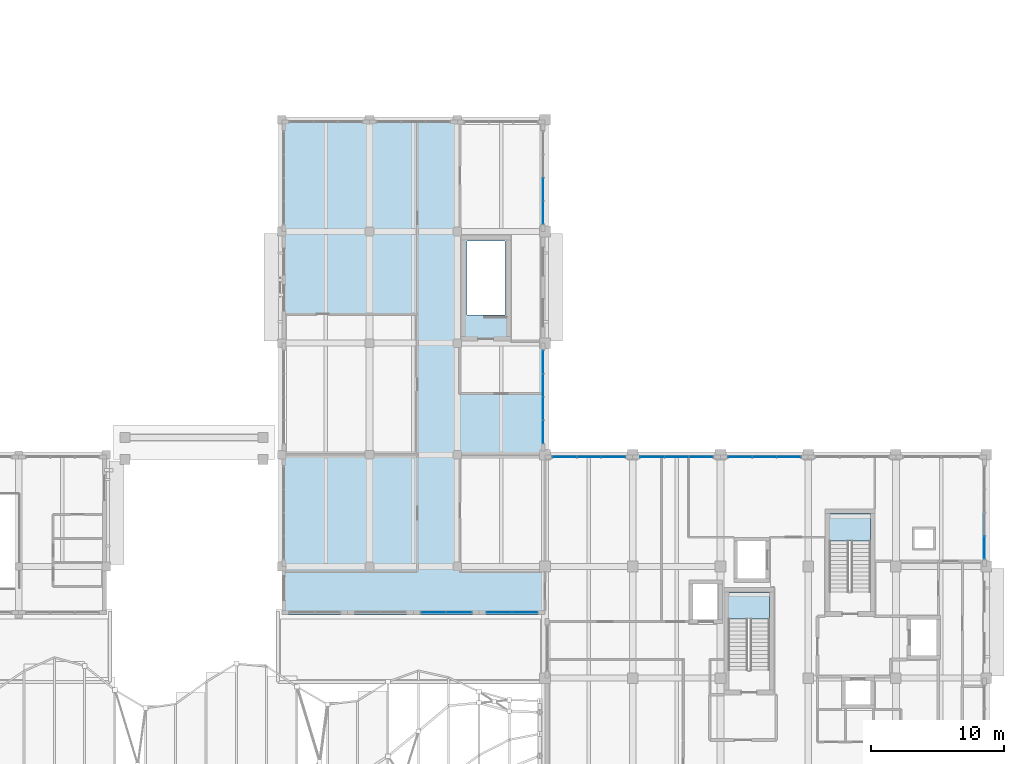
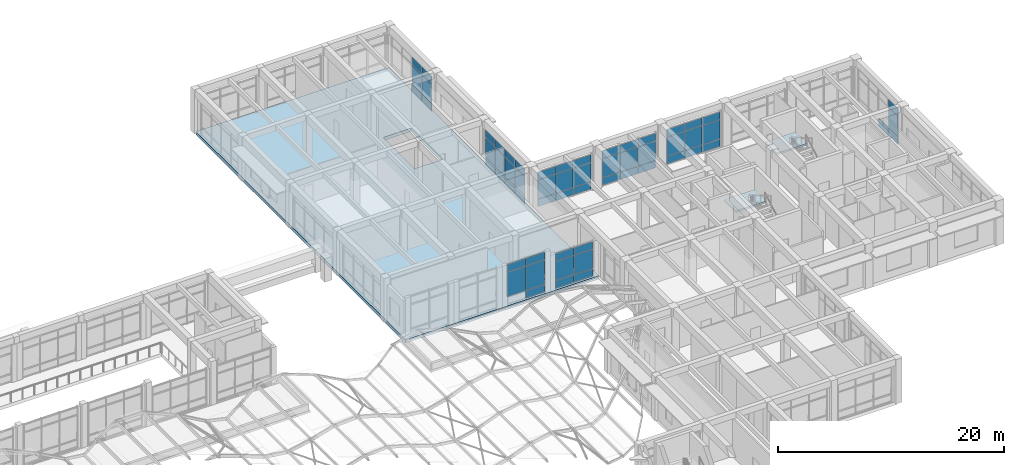
# One storey, part 43 of 79: 60 plates, 3 slabs, 10 elements without a shape of their own.
"""IFC4 building model written with IfcOpenShell, lengths in metres."""

from ifc_helpers import new_model, si_unit, direction, frame, origin, origin_2d, place, context, subcontext, project, spatial, polyline, rectangle, outline, extrude, material, layer, layer_set, type_object, element, aggregate, save


model = new_model("IFC4")

# Units and contexts
model_context = context("Model", 3, precision=1e-05, world=origin(), true_north=direction((0.0, 1.0)))
body_context = subcontext(model_context, "Body", "Model", "MODEL_VIEW")
ifc_project = project(units=[si_unit("LENGTHUNIT", "METRE"), si_unit("AREAUNIT", "SQUARE_METRE"), si_unit("VOLUMEUNIT", "CUBIC_METRE"), si_unit("PLANEANGLEUNIT", "RADIAN"), si_unit("MASSUNIT", "GRAM", prefix="KILO")], contexts=[model_context])

# Site, building, storey
site_placement = place(None, origin())
site = spatial("IfcSite", under=ifc_project, at=site_placement, CompositionType="ELEMENT")
building_placement = place(site_placement, origin())
building = spatial("IfcBuilding", under=site, at=building_placement, Name="Kolvaren Faculty of Natural Sciences", CompositionType="ELEMENT")
storey_placement = place(building_placement, frame((0.0, 0.0, 10.199951171875)))
storey = spatial("IfcBuildingStorey", under=building, at=storey_placement, Name="L02", CompositionType="ELEMENT", Elevation=10.199951171875)

# Curtain wall, plates
ifc_material_1 = material(Name="Thermally broken anodised aluminium framing", Category="aluminium")
ifc_layer_1 = layer(ifc_material_1, 0.179931640625)
ifc_layer_set_1 = layer_set([ifc_layer_1], Name="Thermally broken anodised aluminium framing")
curtain_wall_type_1 = type_object("IfcCurtainWallType", Name="CommonsCurtainWall_CW02", PredefinedType="NOTDEFINED", material=ifc_layer_set_1)
curtain_wall_1_placement = place(storey_placement, origin())
curtain_wall_1 = element("IfcCurtainWall", 1, at=curtain_wall_1_placement, inside=storey, type_object=curtain_wall_type_1, Name="L02 unitised curtain wall CW-02 (CW-L02-085)", PredefinedType="NOTDEFINED")
ifc_material_2 = material(Name="Double low-E solar control insulated glazing", Category="glass")
ifc_layer_2 = layer(ifc_material_2, 0.035888671875)
ifc_layer_set_2 = layer_set([ifc_layer_2], Name="Double low-E solar control insulated glazing")
plate_type_1 = type_object("IfcPlateType", Name="EnvelopePlate_CWPGL1", PredefinedType="CURTAIN_PANEL", material=ifc_layer_set_2)
plate_1_placement = place(storey_placement, frame((137.28759765625, 72.35009765625, 0.920166015625), z_axis=(0.0, 0.0, 1.0), x_axis=(-1.0, 0.0, 0.0)))
plate_1 = element("IfcPlate", 2, at=plate_1_placement, type_object=plate_type_1, Name="CW-L02-085 panel 1 V1", PredefinedType="CURTAIN_PANEL", context=body_context, shape_type="SweptSolid", body=[
    extrude(rectangle(XDim=1.875, YDim=0.035888671875, at=origin_2d()), origin(), (0.0, 0.0, 1.0), 2.044921875),
])
plate_2_placement = place(storey_placement, frame((135.362548828125, 72.35009765625, 0.920166015625), z_axis=(0.0, 0.0, 1.0), x_axis=(-1.0, 0.0, 0.0)))
plate_2 = element("IfcPlate", 3, at=plate_2_placement, type_object=plate_type_1, Name="CW-L02-085 panel 2 V1", PredefinedType="CURTAIN_PANEL", context=body_context, shape_type="SweptSolid", body=[
    extrude(rectangle(XDim=1.875, YDim=0.035888671875, at=origin_2d()), origin(), (0.0, 0.0, 1.0), 2.044921875),
])

curtain_wall_2_placement = place(storey_placement, origin())
curtain_wall_2 = element("IfcCurtainWall", 4, at=curtain_wall_2_placement, inside=storey, type_object=curtain_wall_type_1, Name="L02 unitised curtain wall CW-02 (CW-L02-086)", PredefinedType="NOTDEFINED")
plate_3_placement = place(storey_placement, frame((132.33740234375, 72.35009765625, 0.919921875), z_axis=(0.0, 0.0, 1.0), x_axis=(-1.0, 0.0, 0.0)))
plate_3 = element("IfcPlate", 5, at=plate_3_placement, type_object=plate_type_1, Name="CW-L02-086 panel 1 V1", PredefinedType="CURTAIN_PANEL", context=body_context, shape_type="SweptSolid", body=[
    extrude(rectangle(XDim=1.875, YDim=0.035888671875, at=origin_2d()), origin(), (0.0, 0.0, 1.0), 2.610107421875),
])
plate_4_placement = place(storey_placement, frame((130.41259765625, 72.35009765625, 0.919921875), z_axis=(0.0, 0.0, 1.0), x_axis=(-1.0, 0.0, 0.0)))
plate_4 = element("IfcPlate", 6, at=plate_4_placement, type_object=plate_type_1, Name="CW-L02-086 panel 2 V1", PredefinedType="CURTAIN_PANEL", context=body_context, shape_type="SweptSolid", body=[
    extrude(rectangle(XDim=1.875, YDim=0.035888671875, at=origin_2d()), origin(), (0.0, 0.0, 1.0), 2.610107421875),
])

ifc_layer_3 = layer(ifc_material_1, 0.179931640625)
ifc_layer_set_3 = layer_set([ifc_layer_3], Name="Thermally broken anodised aluminium framing")
curtain_wall_type_2 = type_object("IfcCurtainWallType", Name="TowerNorthCurtainWall_CW03", PredefinedType="NOTDEFINED", material=ifc_layer_set_3)
curtain_wall_3_placement = place(storey_placement, origin())
curtain_wall_3 = element("IfcCurtainWall", 7, at=curtain_wall_3_placement, inside=storey, type_object=curtain_wall_type_2, Name="L02 unitised curtain wall CW-03 (CW-L02-095)", PredefinedType="NOTDEFINED")
plate_5_placement = place(storey_placement, frame((138.64990234375, 104.175048828125, 0.920166015625), z_axis=(0.0, 0.0, 1.0), x_axis=(0.0, -1.0, 0.0)))
plate_5 = element("IfcPlate", 8, at=plate_5_placement, type_object=plate_type_1, Name="CW-L02-095 panel 3 V1", PredefinedType="CURTAIN_PANEL", context=body_context, shape_type="SweptSolid", body=[
    extrude(rectangle(XDim=1.699951171875, YDim=0.035888671875, at=origin_2d()), origin(), (0.0, 0.0, 1.0), 2.044921875),
])
plate_6_placement = place(storey_placement, frame((138.64990234375, 102.425048828125, 0.920166015625), z_axis=(0.0, 0.0, 1.0), x_axis=(0.0, -1.0, 0.0)))
plate_6 = element("IfcPlate", 9, at=plate_6_placement, type_object=plate_type_1, Name="CW-L02-095 panel 4 V1", PredefinedType="CURTAIN_PANEL", context=body_context, shape_type="SweptSolid", body=[
    extrude(rectangle(XDim=1.699951171875, YDim=0.035888671875, at=origin_2d()), origin(), (0.0, 0.0, 1.0), 2.044921875),
])

curtain_wall_4_placement = place(storey_placement, origin())
curtain_wall_4 = element("IfcCurtainWall", 10, at=curtain_wall_4_placement, inside=storey, type_object=curtain_wall_type_2, Name="L02 unitised curtain wall CW-03 (CW-L02-096)", PredefinedType="NOTDEFINED")
plate_7_placement = place(storey_placement, frame((138.64990234375, 91.175048828125, 0.920166015625), z_axis=(0.0, 0.0, 1.0), x_axis=(0.0, -1.0, 0.0)))
plate_7 = element("IfcPlate", 11, at=plate_7_placement, type_object=plate_type_1, Name="CW-L02-096 panel 1 V1", PredefinedType="CURTAIN_PANEL", context=body_context, shape_type="SweptSolid", body=[
    extrude(rectangle(XDim=1.699951171875, YDim=0.035888671875, at=origin_2d()), origin(), (0.0, 0.0, 1.0), 2.044921875),
])
plate_8_placement = place(storey_placement, frame((138.64990234375, 89.425048828125, 0.920166015625), z_axis=(0.0, 0.0, 1.0), x_axis=(0.0, -1.0, 0.0)))
plate_8 = element("IfcPlate", 12, at=plate_8_placement, type_object=plate_type_1, Name="CW-L02-096 panel 2 V1", PredefinedType="CURTAIN_PANEL", context=body_context, shape_type="SweptSolid", body=[
    extrude(rectangle(XDim=1.699951171875, YDim=0.035888671875, at=origin_2d()), origin(), (0.0, 0.0, 1.0), 2.044921875),
])
plate_9_placement = place(storey_placement, frame((138.64990234375, 87.675048828125, 0.920166015625), z_axis=(0.0, 0.0, 1.0), x_axis=(0.0, -1.0, 0.0)))
plate_9 = element("IfcPlate", 13, at=plate_9_placement, type_object=plate_type_1, Name="CW-L02-096 panel 3 V1", PredefinedType="CURTAIN_PANEL", context=body_context, shape_type="SweptSolid", body=[
    extrude(rectangle(XDim=1.699951171875, YDim=0.035888671875, at=origin_2d()), origin(), (0.0, 0.0, 1.0), 2.044921875),
])
plate_10_placement = place(storey_placement, frame((138.64990234375, 85.925048828125, 0.920166015625), z_axis=(0.0, 0.0, 1.0), x_axis=(0.0, -1.0, 0.0)))
plate_10 = element("IfcPlate", 14, at=plate_10_placement, type_object=plate_type_1, Name="CW-L02-096 panel 4 V1", PredefinedType="CURTAIN_PANEL", context=body_context, shape_type="SweptSolid", body=[
    extrude(rectangle(XDim=1.699951171875, YDim=0.035888671875, at=origin_2d()), origin(), (0.0, 0.0, 1.0), 2.044921875),
])

curtain_wall_5_placement = place(storey_placement, origin())
curtain_wall_5 = element("IfcCurtainWall", 15, at=curtain_wall_5_placement, inside=storey, type_object=curtain_wall_type_2, Name="L02 unitised curtain wall CW-03 (CW-L02-097)", PredefinedType="NOTDEFINED")
plate_11_placement = place(storey_placement, frame((140.2666015625, 84.050048828125, 0.920166015625), z_axis=(0.0, 0.0, 1.0), x_axis=(1.0, 0.0, 0.0)))
plate_11 = element("IfcPlate", 16, at=plate_11_placement, type_object=plate_type_1, Name="CW-L02-097 panel 1 V1", PredefinedType="CURTAIN_PANEL", context=body_context, shape_type="SweptSolid", body=[
    extrude(rectangle(XDim=1.783203125, YDim=0.035888671875, at=origin_2d()), origin(), (0.0, 0.0, 1.0), 2.044921875),
])
plate_12_placement = place(storey_placement, frame((142.10009765625, 84.050048828125, 0.920166015625), z_axis=(0.0, 0.0, 1.0), x_axis=(1.0, 0.0, 0.0)))
plate_12 = element("IfcPlate", 17, at=plate_12_placement, type_object=plate_type_1, Name="CW-L02-097 panel 2 V1", PredefinedType="CURTAIN_PANEL", context=body_context, shape_type="SweptSolid", body=[
    extrude(rectangle(XDim=1.783203125, YDim=0.035888671875, at=origin_2d()), origin(), (0.0, 0.0, 1.0), 2.044921875),
])
plate_13_placement = place(storey_placement, frame((143.933349609375, 84.050048828125, 0.920166015625), z_axis=(0.0, 0.0, 1.0), x_axis=(1.0, 0.0, 0.0)))
plate_13 = element("IfcPlate", 18, at=plate_13_placement, type_object=plate_type_1, Name="CW-L02-097 panel 3 V1", PredefinedType="CURTAIN_PANEL", context=body_context, shape_type="SweptSolid", body=[
    extrude(rectangle(XDim=1.783203125, YDim=0.035888671875, at=origin_2d()), origin(), (0.0, 0.0, 1.0), 2.044921875),
])

curtain_wall_6_placement = place(storey_placement, origin())
curtain_wall_6 = element("IfcCurtainWall", 19, at=curtain_wall_6_placement, inside=storey, type_object=curtain_wall_type_2, Name="L02 unitised curtain wall CW-03 (CW-L02-098)", PredefinedType="NOTDEFINED")
plate_14_placement = place(storey_placement, frame((146.86669921875, 84.050048828125, 0.920166015625), z_axis=(0.0, 0.0, 1.0), x_axis=(1.0, 0.0, 0.0)))
plate_14 = element("IfcPlate", 20, at=plate_14_placement, type_object=plate_type_1, Name="CW-L02-098 panel 1 V1", PredefinedType="CURTAIN_PANEL", context=body_context, shape_type="SweptSolid", body=[
    extrude(rectangle(XDim=1.783203125, YDim=0.035888671875, at=origin_2d()), origin(), (0.0, 0.0, 1.0), 2.044921875),
])
plate_15_placement = place(storey_placement, frame((148.699951171875, 84.050048828125, 0.920166015625), z_axis=(0.0, 0.0, 1.0), x_axis=(1.0, 0.0, 0.0)))
plate_15 = element("IfcPlate", 21, at=plate_15_placement, type_object=plate_type_1, Name="CW-L02-098 panel 2 V1", PredefinedType="CURTAIN_PANEL", context=body_context, shape_type="SweptSolid", body=[
    extrude(rectangle(XDim=1.783203125, YDim=0.035888671875, at=origin_2d()), origin(), (0.0, 0.0, 1.0), 2.044921875),
])
plate_16_placement = place(storey_placement, frame((150.533203125, 84.050048828125, 0.920166015625), z_axis=(0.0, 0.0, 1.0), x_axis=(1.0, 0.0, 0.0)))
plate_16 = element("IfcPlate", 22, at=plate_16_placement, type_object=plate_type_1, Name="CW-L02-098 panel 3 V1", PredefinedType="CURTAIN_PANEL", context=body_context, shape_type="SweptSolid", body=[
    extrude(rectangle(XDim=1.783203125, YDim=0.035888671875, at=origin_2d()), origin(), (0.0, 0.0, 1.0), 2.044921875),
])

curtain_wall_7_placement = place(storey_placement, origin())
curtain_wall_7 = element("IfcCurtainWall", 23, at=curtain_wall_7_placement, inside=storey, type_object=curtain_wall_type_2, Name="L02 unitised curtain wall CW-03 (CW-L02-099)", PredefinedType="NOTDEFINED")
plate_17_placement = place(storey_placement, frame((153.466796875, 84.050048828125, 0.920166015625), z_axis=(0.0, 0.0, 1.0), x_axis=(1.0, 0.0, 0.0)))
plate_17 = element("IfcPlate", 24, at=plate_17_placement, type_object=plate_type_1, Name="CW-L02-099 panel 1 V1", PredefinedType="CURTAIN_PANEL", context=body_context, shape_type="SweptSolid", body=[
    extrude(rectangle(XDim=1.783203125, YDim=0.035888671875, at=origin_2d()), origin(), (0.0, 0.0, 1.0), 2.044921875),
])
plate_18_placement = place(storey_placement, frame((155.300048828125, 84.050048828125, 0.920166015625), z_axis=(0.0, 0.0, 1.0), x_axis=(1.0, 0.0, 0.0)))
plate_18 = element("IfcPlate", 25, at=plate_18_placement, type_object=plate_type_1, Name="CW-L02-099 panel 2 V1", PredefinedType="CURTAIN_PANEL", context=body_context, shape_type="SweptSolid", body=[
    extrude(rectangle(XDim=1.783203125, YDim=0.035888671875, at=origin_2d()), origin(), (0.0, 0.0, 1.0), 2.044921875),
])
plate_19_placement = place(storey_placement, frame((157.13330078125, 84.050048828125, 0.920166015625), z_axis=(0.0, 0.0, 1.0), x_axis=(1.0, 0.0, 0.0)))
plate_19 = element("IfcPlate", 26, at=plate_19_placement, type_object=plate_type_1, Name="CW-L02-099 panel 3 V1", PredefinedType="CURTAIN_PANEL", context=body_context, shape_type="SweptSolid", body=[
    extrude(rectangle(XDim=1.783203125, YDim=0.035888671875, at=origin_2d()), origin(), (0.0, 0.0, 1.0), 2.044921875),
])

# Curtain wall, plate
curtain_wall_8_placement = place(storey_placement, origin())
curtain_wall_8 = element("IfcCurtainWall", 27, at=curtain_wall_8_placement, inside=storey, type_object=curtain_wall_type_2, Name="L02 unitised curtain wall CW-03 (CW-L02-102)", PredefinedType="NOTDEFINED")
plate_20_placement = place(storey_placement, frame((171.85009765625, 77.22509765625, 0.919921875), z_axis=(0.0, 0.0, 1.0), x_axis=(0.0, -1.0, 0.0)))
plate_20 = element("IfcPlate", 28, at=plate_20_placement, type_object=plate_type_1, Name="CW-L02-102 panel 4 V1", PredefinedType="CURTAIN_PANEL", context=body_context, shape_type="SweptSolid", body=[
    extrude(rectangle(XDim=1.699951171875, YDim=0.035888671875, at=origin_2d()), origin(), (0.0, 0.0, 1.0), 2.195068359375),
])

# Plate
ifc_layer_4 = layer(ifc_material_2, 0.035888671875)
ifc_layer_set_4 = layer_set([ifc_layer_4], Name="Double low-E solar control insulated glazing")
plate_type_2 = type_object("IfcPlateType", Name="EnvelopePlate_CWPGL2", PredefinedType="CURTAIN_PANEL", material=ifc_layer_set_4)
plate_21_placement = place(storey_placement, frame((137.28759765625, 72.35009765625, 3.005126953125), z_axis=(0.0, 0.0, 1.0), x_axis=(-1.0, 0.0, 0.0)))
plate_21 = element("IfcPlate", 29, at=plate_21_placement, type_object=plate_type_2, Name="CW-L02-085 panel 1 V2", PredefinedType="CURTAIN_PANEL", context=body_context, shape_type="SweptSolid", body=[
    extrude(rectangle(XDim=1.875, YDim=0.035888671875, at=origin_2d()), origin(), (0.0, 0.0, 1.0), 0.830078125),
])

plate_22_placement = place(storey_placement, frame((135.362548828125, 72.35009765625, 3.005126953125), z_axis=(0.0, 0.0, 1.0), x_axis=(-1.0, 0.0, 0.0)))
plate_22 = element("IfcPlate", 30, at=plate_22_placement, type_object=plate_type_2, Name="CW-L02-085 panel 2 V2", PredefinedType="CURTAIN_PANEL", context=body_context, shape_type="SweptSolid", body=[
    extrude(rectangle(XDim=1.875, YDim=0.035888671875, at=origin_2d()), origin(), (0.0, 0.0, 1.0), 0.830078125),
])

plate_23_placement = place(storey_placement, frame((132.33740234375, 72.35009765625, 3.570068359375), z_axis=(0.0, 0.0, 1.0), x_axis=(-1.0, 0.0, 0.0)))
plate_23 = element("IfcPlate", 31, at=plate_23_placement, type_object=plate_type_2, Name="CW-L02-086 panel 1 V2", PredefinedType="CURTAIN_PANEL", context=body_context, shape_type="SweptSolid", body=[
    extrude(rectangle(XDim=1.875, YDim=0.035888671875, at=origin_2d()), origin(), (0.0, 0.0, 1.0), 0.830078125),
])

plate_24_placement = place(storey_placement, frame((130.41259765625, 72.35009765625, 3.570068359375), z_axis=(0.0, 0.0, 1.0), x_axis=(-1.0, 0.0, 0.0)))
plate_24 = element("IfcPlate", 32, at=plate_24_placement, type_object=plate_type_2, Name="CW-L02-086 panel 2 V2", PredefinedType="CURTAIN_PANEL", context=body_context, shape_type="SweptSolid", body=[
    extrude(rectangle(XDim=1.875, YDim=0.035888671875, at=origin_2d()), origin(), (0.0, 0.0, 1.0), 0.830078125),
])

plate_25_placement = place(storey_placement, frame((138.64990234375, 104.175048828125, 3.005126953125), z_axis=(0.0, 0.0, 1.0), x_axis=(0.0, -1.0, 0.0)))
plate_25 = element("IfcPlate", 33, at=plate_25_placement, type_object=plate_type_2, Name="CW-L02-095 panel 3 V2", PredefinedType="CURTAIN_PANEL", context=body_context, shape_type="SweptSolid", body=[
    extrude(rectangle(XDim=1.699951171875, YDim=0.035888671875, at=origin_2d()), origin(), (0.0, 0.0, 1.0), 0.830078125),
])

plate_26_placement = place(storey_placement, frame((138.64990234375, 102.425048828125, 3.005126953125), z_axis=(0.0, 0.0, 1.0), x_axis=(0.0, -1.0, 0.0)))
plate_26 = element("IfcPlate", 34, at=plate_26_placement, type_object=plate_type_2, Name="CW-L02-095 panel 4 V2", PredefinedType="CURTAIN_PANEL", context=body_context, shape_type="SweptSolid", body=[
    extrude(rectangle(XDim=1.699951171875, YDim=0.035888671875, at=origin_2d()), origin(), (0.0, 0.0, 1.0), 0.830078125),
])

plate_27_placement = place(storey_placement, frame((138.64990234375, 91.175048828125, 3.005126953125), z_axis=(0.0, 0.0, 1.0), x_axis=(0.0, -1.0, 0.0)))
plate_27 = element("IfcPlate", 35, at=plate_27_placement, type_object=plate_type_2, Name="CW-L02-096 panel 1 V2", PredefinedType="CURTAIN_PANEL", context=body_context, shape_type="SweptSolid", body=[
    extrude(rectangle(XDim=1.699951171875, YDim=0.035888671875, at=origin_2d()), origin(), (0.0, 0.0, 1.0), 0.830078125),
])

plate_28_placement = place(storey_placement, frame((138.64990234375, 89.425048828125, 3.005126953125), z_axis=(0.0, 0.0, 1.0), x_axis=(0.0, -1.0, 0.0)))
plate_28 = element("IfcPlate", 36, at=plate_28_placement, type_object=plate_type_2, Name="CW-L02-096 panel 2 V2", PredefinedType="CURTAIN_PANEL", context=body_context, shape_type="SweptSolid", body=[
    extrude(rectangle(XDim=1.699951171875, YDim=0.035888671875, at=origin_2d()), origin(), (0.0, 0.0, 1.0), 0.830078125),
])

plate_29_placement = place(storey_placement, frame((138.64990234375, 87.675048828125, 3.005126953125), z_axis=(0.0, 0.0, 1.0), x_axis=(0.0, -1.0, 0.0)))
plate_29 = element("IfcPlate", 37, at=plate_29_placement, type_object=plate_type_2, Name="CW-L02-096 panel 3 V2", PredefinedType="CURTAIN_PANEL", context=body_context, shape_type="SweptSolid", body=[
    extrude(rectangle(XDim=1.699951171875, YDim=0.035888671875, at=origin_2d()), origin(), (0.0, 0.0, 1.0), 0.830078125),
])

plate_30_placement = place(storey_placement, frame((138.64990234375, 85.925048828125, 3.005126953125), z_axis=(0.0, 0.0, 1.0), x_axis=(0.0, -1.0, 0.0)))
plate_30 = element("IfcPlate", 38, at=plate_30_placement, type_object=plate_type_2, Name="CW-L02-096 panel 4 V2", PredefinedType="CURTAIN_PANEL", context=body_context, shape_type="SweptSolid", body=[
    extrude(rectangle(XDim=1.699951171875, YDim=0.035888671875, at=origin_2d()), origin(), (0.0, 0.0, 1.0), 0.830078125),
])

plate_31_placement = place(storey_placement, frame((140.2666015625, 84.050048828125, 3.005126953125), z_axis=(0.0, 0.0, 1.0), x_axis=(1.0, 0.0, 0.0)))
plate_31 = element("IfcPlate", 39, at=plate_31_placement, type_object=plate_type_2, Name="CW-L02-097 panel 1 V2", PredefinedType="CURTAIN_PANEL", context=body_context, shape_type="SweptSolid", body=[
    extrude(rectangle(XDim=1.783203125, YDim=0.035888671875, at=origin_2d()), origin(), (0.0, 0.0, 1.0), 0.830078125),
])

plate_32_placement = place(storey_placement, frame((142.10009765625, 84.050048828125, 3.005126953125), z_axis=(0.0, 0.0, 1.0), x_axis=(1.0, 0.0, 0.0)))
plate_32 = element("IfcPlate", 40, at=plate_32_placement, type_object=plate_type_2, Name="CW-L02-097 panel 2 V2", PredefinedType="CURTAIN_PANEL", context=body_context, shape_type="SweptSolid", body=[
    extrude(rectangle(XDim=1.783203125, YDim=0.035888671875, at=origin_2d()), origin(), (0.0, 0.0, 1.0), 0.830078125),
])

plate_33_placement = place(storey_placement, frame((143.933349609375, 84.050048828125, 3.005126953125), z_axis=(0.0, 0.0, 1.0), x_axis=(1.0, 0.0, 0.0)))
plate_33 = element("IfcPlate", 41, at=plate_33_placement, type_object=plate_type_2, Name="CW-L02-097 panel 3 V2", PredefinedType="CURTAIN_PANEL", context=body_context, shape_type="SweptSolid", body=[
    extrude(rectangle(XDim=1.783203125, YDim=0.035888671875, at=origin_2d()), origin(), (0.0, 0.0, 1.0), 0.830078125),
])

plate_34_placement = place(storey_placement, frame((146.86669921875, 84.050048828125, 3.005126953125), z_axis=(0.0, 0.0, 1.0), x_axis=(1.0, 0.0, 0.0)))
plate_34 = element("IfcPlate", 42, at=plate_34_placement, type_object=plate_type_2, Name="CW-L02-098 panel 1 V2", PredefinedType="CURTAIN_PANEL", context=body_context, shape_type="SweptSolid", body=[
    extrude(rectangle(XDim=1.783203125, YDim=0.035888671875, at=origin_2d()), origin(), (0.0, 0.0, 1.0), 0.830078125),
])

plate_35_placement = place(storey_placement, frame((148.699951171875, 84.050048828125, 3.005126953125), z_axis=(0.0, 0.0, 1.0), x_axis=(1.0, 0.0, 0.0)))
plate_35 = element("IfcPlate", 43, at=plate_35_placement, type_object=plate_type_2, Name="CW-L02-098 panel 2 V2", PredefinedType="CURTAIN_PANEL", context=body_context, shape_type="SweptSolid", body=[
    extrude(rectangle(XDim=1.783203125, YDim=0.035888671875, at=origin_2d()), origin(), (0.0, 0.0, 1.0), 0.830078125),
])

plate_36_placement = place(storey_placement, frame((150.533203125, 84.050048828125, 3.005126953125), z_axis=(0.0, 0.0, 1.0), x_axis=(1.0, 0.0, 0.0)))
plate_36 = element("IfcPlate", 44, at=plate_36_placement, type_object=plate_type_2, Name="CW-L02-098 panel 3 V2", PredefinedType="CURTAIN_PANEL", context=body_context, shape_type="SweptSolid", body=[
    extrude(rectangle(XDim=1.783203125, YDim=0.035888671875, at=origin_2d()), origin(), (0.0, 0.0, 1.0), 0.830078125),
])

plate_37_placement = place(storey_placement, frame((153.466796875, 84.050048828125, 3.005126953125), z_axis=(0.0, 0.0, 1.0), x_axis=(1.0, 0.0, 0.0)))
plate_37 = element("IfcPlate", 45, at=plate_37_placement, type_object=plate_type_2, Name="CW-L02-099 panel 1 V2", PredefinedType="CURTAIN_PANEL", context=body_context, shape_type="SweptSolid", body=[
    extrude(rectangle(XDim=1.783203125, YDim=0.035888671875, at=origin_2d()), origin(), (0.0, 0.0, 1.0), 0.830078125),
])

plate_38_placement = place(storey_placement, frame((155.300048828125, 84.050048828125, 3.005126953125), z_axis=(0.0, 0.0, 1.0), x_axis=(1.0, 0.0, 0.0)))
plate_38 = element("IfcPlate", 46, at=plate_38_placement, type_object=plate_type_2, Name="CW-L02-099 panel 2 V2", PredefinedType="CURTAIN_PANEL", context=body_context, shape_type="SweptSolid", body=[
    extrude(rectangle(XDim=1.783203125, YDim=0.035888671875, at=origin_2d()), origin(), (0.0, 0.0, 1.0), 0.830078125),
])

plate_39_placement = place(storey_placement, frame((157.13330078125, 84.050048828125, 3.005126953125), z_axis=(0.0, 0.0, 1.0), x_axis=(1.0, 0.0, 0.0)))
plate_39 = element("IfcPlate", 47, at=plate_39_placement, type_object=plate_type_2, Name="CW-L02-099 panel 3 V2", PredefinedType="CURTAIN_PANEL", context=body_context, shape_type="SweptSolid", body=[
    extrude(rectangle(XDim=1.783203125, YDim=0.035888671875, at=origin_2d()), origin(), (0.0, 0.0, 1.0), 0.830078125),
])

plate_40_placement = place(storey_placement, frame((171.85009765625, 77.22509765625, 3.155029296875), z_axis=(0.0, 0.0, 1.0), x_axis=(0.0, -1.0, 0.0)))
plate_40 = element("IfcPlate", 48, at=plate_40_placement, type_object=plate_type_2, Name="CW-L02-102 panel 4 V2", PredefinedType="CURTAIN_PANEL", context=body_context, shape_type="SweptSolid", body=[
    extrude(rectangle(XDim=1.699951171875, YDim=0.035888671875, at=origin_2d()), origin(), (0.0, 0.0, 1.0), 0.830078125),
])

ifc_material_3 = material(Name="Insulated anodised aluminium spandrel panel", Category="aluminium")
ifc_layer_5 = layer(ifc_material_3, 0.050048828125)
ifc_layer_set_5 = layer_set([ifc_layer_5], Name="Insulated anodised aluminium spandrel panel")
plate_type_3 = type_object("IfcPlateType", Name="EnvelopePlate_CWPSP1", PredefinedType="SHEET", material=ifc_layer_set_5)
plate_41_placement = place(storey_placement, frame((137.28759765625, 72.35009765625, 0.10009765625), z_axis=(0.0, 0.0, 1.0), x_axis=(-1.0, 0.0, 0.0)))
plate_41 = element("IfcPlate", 49, at=plate_41_placement, type_object=plate_type_3, Name="CW-L02-085 panel 1 SP", PredefinedType="SHEET", context=body_context, shape_type="SweptSolid", body=[
    extrude(rectangle(XDim=1.875, YDim=0.050048828125, at=origin_2d()), origin(), (0.0, 0.0, 1.0), 0.780029296875),
])

plate_42_placement = place(storey_placement, frame((135.362548828125, 72.35009765625, 0.10009765625), z_axis=(0.0, 0.0, 1.0), x_axis=(-1.0, 0.0, 0.0)))
plate_42 = element("IfcPlate", 50, at=plate_42_placement, type_object=plate_type_3, Name="CW-L02-085 panel 2 SP", PredefinedType="SHEET", context=body_context, shape_type="SweptSolid", body=[
    extrude(rectangle(XDim=1.875, YDim=0.050048828125, at=origin_2d()), origin(), (0.0, 0.0, 1.0), 0.780029296875),
])

aggregate(curtain_wall_1, [plate_41, plate_1, plate_21, plate_42, plate_2, plate_22])

plate_43_placement = place(storey_placement, frame((132.33740234375, 72.35009765625, 0.10009765625), z_axis=(0.0, 0.0, 1.0), x_axis=(-1.0, 0.0, 0.0)))
plate_43 = element("IfcPlate", 51, at=plate_43_placement, type_object=plate_type_3, Name="CW-L02-086 panel 1 SP", PredefinedType="SHEET", context=body_context, shape_type="SweptSolid", body=[
    extrude(rectangle(XDim=1.875, YDim=0.050048828125, at=origin_2d()), origin(), (0.0, 0.0, 1.0), 0.780029296875),
])

aggregate(curtain_wall_2, [plate_43, plate_3, plate_23, plate_4, plate_24])

plate_44_placement = place(storey_placement, frame((138.64990234375, 104.175048828125, 0.10009765625), z_axis=(0.0, 0.0, 1.0), x_axis=(0.0, -1.0, 0.0)))
plate_44 = element("IfcPlate", 52, at=plate_44_placement, type_object=plate_type_3, Name="CW-L02-095 panel 3 SP", PredefinedType="SHEET", context=body_context, shape_type="SweptSolid", body=[
    extrude(rectangle(XDim=1.699951171875, YDim=0.050048828125, at=origin_2d()), origin(), (0.0, 0.0, 1.0), 0.780029296875),
])

plate_45_placement = place(storey_placement, frame((138.64990234375, 102.425048828125, 0.10009765625), z_axis=(0.0, 0.0, 1.0), x_axis=(0.0, -1.0, 0.0)))
plate_45 = element("IfcPlate", 53, at=plate_45_placement, type_object=plate_type_3, Name="CW-L02-095 panel 4 SP", PredefinedType="SHEET", context=body_context, shape_type="SweptSolid", body=[
    extrude(rectangle(XDim=1.699951171875, YDim=0.050048828125, at=origin_2d()), origin(), (0.0, 0.0, 1.0), 0.780029296875),
])

aggregate(curtain_wall_3, [plate_44, plate_5, plate_25, plate_45, plate_6, plate_26])

plate_46_placement = place(storey_placement, frame((138.64990234375, 91.175048828125, 0.10009765625), z_axis=(0.0, 0.0, 1.0), x_axis=(0.0, -1.0, 0.0)))
plate_46 = element("IfcPlate", 54, at=plate_46_placement, type_object=plate_type_3, Name="CW-L02-096 panel 1 SP", PredefinedType="SHEET", context=body_context, shape_type="SweptSolid", body=[
    extrude(rectangle(XDim=1.699951171875, YDim=0.050048828125, at=origin_2d()), origin(), (0.0, 0.0, 1.0), 0.780029296875),
])

plate_47_placement = place(storey_placement, frame((138.64990234375, 89.425048828125, 0.10009765625), z_axis=(0.0, 0.0, 1.0), x_axis=(0.0, -1.0, 0.0)))
plate_47 = element("IfcPlate", 55, at=plate_47_placement, type_object=plate_type_3, Name="CW-L02-096 panel 2 SP", PredefinedType="SHEET", context=body_context, shape_type="SweptSolid", body=[
    extrude(rectangle(XDim=1.699951171875, YDim=0.050048828125, at=origin_2d()), origin(), (0.0, 0.0, 1.0), 0.780029296875),
])

plate_48_placement = place(storey_placement, frame((138.64990234375, 87.675048828125, 0.10009765625), z_axis=(0.0, 0.0, 1.0), x_axis=(0.0, -1.0, 0.0)))
plate_48 = element("IfcPlate", 56, at=plate_48_placement, type_object=plate_type_3, Name="CW-L02-096 panel 3 SP", PredefinedType="SHEET", context=body_context, shape_type="SweptSolid", body=[
    extrude(rectangle(XDim=1.699951171875, YDim=0.050048828125, at=origin_2d()), origin(), (0.0, 0.0, 1.0), 0.780029296875),
])

plate_49_placement = place(storey_placement, frame((138.64990234375, 85.925048828125, 0.10009765625), z_axis=(0.0, 0.0, 1.0), x_axis=(0.0, -1.0, 0.0)))
plate_49 = element("IfcPlate", 57, at=plate_49_placement, type_object=plate_type_3, Name="CW-L02-096 panel 4 SP", PredefinedType="SHEET", context=body_context, shape_type="SweptSolid", body=[
    extrude(rectangle(XDim=1.699951171875, YDim=0.050048828125, at=origin_2d()), origin(), (0.0, 0.0, 1.0), 0.780029296875),
])

aggregate(curtain_wall_4, [plate_46, plate_7, plate_27, plate_47, plate_8, plate_28, plate_48, plate_9, plate_29, plate_49, plate_10, plate_30])

plate_50_placement = place(storey_placement, frame((140.2666015625, 84.050048828125, 0.10009765625), z_axis=(0.0, 0.0, 1.0), x_axis=(1.0, 0.0, 0.0)))
plate_50 = element("IfcPlate", 58, at=plate_50_placement, type_object=plate_type_3, Name="CW-L02-097 panel 1 SP", PredefinedType="SHEET", context=body_context, shape_type="SweptSolid", body=[
    extrude(rectangle(XDim=1.783203125, YDim=0.050048828125, at=origin_2d()), origin(), (0.0, 0.0, 1.0), 0.780029296875),
])

plate_51_placement = place(storey_placement, frame((142.10009765625, 84.050048828125, 0.10009765625), z_axis=(0.0, 0.0, 1.0), x_axis=(1.0, 0.0, 0.0)))
plate_51 = element("IfcPlate", 59, at=plate_51_placement, type_object=plate_type_3, Name="CW-L02-097 panel 2 SP", PredefinedType="SHEET", context=body_context, shape_type="SweptSolid", body=[
    extrude(rectangle(XDim=1.783203125, YDim=0.050048828125, at=origin_2d()), origin(), (0.0, 0.0, 1.0), 0.780029296875),
])

plate_52_placement = place(storey_placement, frame((143.933349609375, 84.050048828125, 0.10009765625), z_axis=(0.0, 0.0, 1.0), x_axis=(1.0, 0.0, 0.0)))
plate_52 = element("IfcPlate", 60, at=plate_52_placement, type_object=plate_type_3, Name="CW-L02-097 panel 3 SP", PredefinedType="SHEET", context=body_context, shape_type="SweptSolid", body=[
    extrude(rectangle(XDim=1.783203125, YDim=0.050048828125, at=origin_2d()), origin(), (0.0, 0.0, 1.0), 0.780029296875),
])

aggregate(curtain_wall_5, [plate_50, plate_11, plate_31, plate_51, plate_12, plate_32, plate_52, plate_13, plate_33])

plate_53_placement = place(storey_placement, frame((146.86669921875, 84.050048828125, 0.10009765625), z_axis=(0.0, 0.0, 1.0), x_axis=(1.0, 0.0, 0.0)))
plate_53 = element("IfcPlate", 61, at=plate_53_placement, type_object=plate_type_3, Name="CW-L02-098 panel 1 SP", PredefinedType="SHEET", context=body_context, shape_type="SweptSolid", body=[
    extrude(rectangle(XDim=1.783203125, YDim=0.050048828125, at=origin_2d()), origin(), (0.0, 0.0, 1.0), 0.780029296875),
])

plate_54_placement = place(storey_placement, frame((148.699951171875, 84.050048828125, 0.10009765625), z_axis=(0.0, 0.0, 1.0), x_axis=(1.0, 0.0, 0.0)))
plate_54 = element("IfcPlate", 62, at=plate_54_placement, type_object=plate_type_3, Name="CW-L02-098 panel 2 SP", PredefinedType="SHEET", context=body_context, shape_type="SweptSolid", body=[
    extrude(rectangle(XDim=1.783203125, YDim=0.050048828125, at=origin_2d()), origin(), (0.0, 0.0, 1.0), 0.780029296875),
])

plate_55_placement = place(storey_placement, frame((150.533203125, 84.050048828125, 0.10009765625), z_axis=(0.0, 0.0, 1.0), x_axis=(1.0, 0.0, 0.0)))
plate_55 = element("IfcPlate", 63, at=plate_55_placement, type_object=plate_type_3, Name="CW-L02-098 panel 3 SP", PredefinedType="SHEET", context=body_context, shape_type="SweptSolid", body=[
    extrude(rectangle(XDim=1.783203125, YDim=0.050048828125, at=origin_2d()), origin(), (0.0, 0.0, 1.0), 0.780029296875),
])

aggregate(curtain_wall_6, [plate_53, plate_14, plate_34, plate_54, plate_15, plate_35, plate_55, plate_16, plate_36])

plate_56_placement = place(storey_placement, frame((153.466796875, 84.050048828125, 0.10009765625), z_axis=(0.0, 0.0, 1.0), x_axis=(1.0, 0.0, 0.0)))
plate_56 = element("IfcPlate", 64, at=plate_56_placement, type_object=plate_type_3, Name="CW-L02-099 panel 1 SP", PredefinedType="SHEET", context=body_context, shape_type="SweptSolid", body=[
    extrude(rectangle(XDim=1.783203125, YDim=0.050048828125, at=origin_2d()), origin(), (0.0, 0.0, 1.0), 0.780029296875),
])

plate_57_placement = place(storey_placement, frame((155.300048828125, 84.050048828125, 0.10009765625), z_axis=(0.0, 0.0, 1.0), x_axis=(1.0, 0.0, 0.0)))
plate_57 = element("IfcPlate", 65, at=plate_57_placement, type_object=plate_type_3, Name="CW-L02-099 panel 2 SP", PredefinedType="SHEET", context=body_context, shape_type="SweptSolid", body=[
    extrude(rectangle(XDim=1.783203125, YDim=0.050048828125, at=origin_2d()), origin(), (0.0, 0.0, 1.0), 0.780029296875),
])

plate_58_placement = place(storey_placement, frame((157.13330078125, 84.050048828125, 0.10009765625), z_axis=(0.0, 0.0, 1.0), x_axis=(1.0, 0.0, 0.0)))
plate_58 = element("IfcPlate", 66, at=plate_58_placement, type_object=plate_type_3, Name="CW-L02-099 panel 3 SP", PredefinedType="SHEET", context=body_context, shape_type="SweptSolid", body=[
    extrude(rectangle(XDim=1.783203125, YDim=0.050048828125, at=origin_2d()), origin(), (0.0, 0.0, 1.0), 0.780029296875),
])

aggregate(curtain_wall_7, [plate_56, plate_17, plate_37, plate_57, plate_18, plate_38, plate_58, plate_19, plate_39])

plate_59_placement = place(storey_placement, frame((171.85009765625, 78.97509765625, 0.10009765625), z_axis=(0.0, 0.0, 1.0), x_axis=(0.0, -1.0, 0.0)))
plate_59 = element("IfcPlate", 67, at=plate_59_placement, type_object=plate_type_3, Name="CW-L02-102 panel 3 SP", PredefinedType="SHEET", context=body_context, shape_type="SweptSolid", body=[
    extrude(rectangle(XDim=1.699951171875, YDim=0.050048828125, at=origin_2d()), origin(), (0.0, 0.0, 1.0), 0.780029296875),
])

plate_60_placement = place(storey_placement, frame((171.85009765625, 77.22509765625, 0.10009765625), z_axis=(0.0, 0.0, 1.0), x_axis=(0.0, -1.0, 0.0)))
plate_60 = element("IfcPlate", 68, at=plate_60_placement, type_object=plate_type_3, Name="CW-L02-102 panel 4 SP", PredefinedType="SHEET", context=body_context, shape_type="SweptSolid", body=[
    extrude(rectangle(XDim=1.699951171875, YDim=0.050048828125, at=origin_2d()), origin(), (0.0, 0.0, 1.0), 0.780029296875),
])

aggregate(curtain_wall_8, [plate_59, plate_60, plate_20, plate_40])

# Stair, slab
ifc_material_4 = material(Name="Concrete C35/45", Category="concrete")
stair_type = type_object("IfcStairType", Name="DoglegStair_H4800", PredefinedType="HALF_TURN_STAIR", material=ifc_material_4)
stair_1_placement = place(storey_placement, origin())
stair_1 = element("IfcStair", 69, at=stair_1_placement, inside=storey, type_object=stair_type, Name="L02 Protected exit stair ST-1", PredefinedType="HALF_TURN_STAIR")
ifc_layer_6 = layer(ifc_material_4, 0.199951171875)
ifc_layer_set_6 = layer_set([ifc_layer_6], Name="Concrete C35/45")
slab_type_1 = type_object("IfcSlabType", Name="StairLandingSlab_200", PredefinedType="LANDING", material=ifc_layer_set_6)
slab_1_placement = place(storey_placement, frame((0.0, 0.0, 2.199951171875)))
slab_1 = element("IfcSlab", 70, at=slab_1_placement, type_object=slab_type_1, Name="ST-1 landing 1", PredefinedType="LANDING", context=body_context, shape_type="SweptSolid", body=[
    extrude(outline(polyline([(163.300048828125, 77.735107421875), (163.300048828125, 79.800048828125), (160.199951171875, 79.800048828125), (160.199951171875, 77.735107421875), (163.300048828125, 77.735107421875)])), origin(), (0.0, 0.0, 1.0), 0.2001953125),
])
aggregate(stair_1, [slab_1])

stair_2_placement = place(storey_placement, origin())
stair_2 = element("IfcStair", 71, at=stair_2_placement, inside=storey, type_object=stair_type, Name="L02 Protected exit stair ST-2", PredefinedType="HALF_TURN_STAIR")
slab_2_placement = place(storey_placement, frame((0.0, 0.0, 2.199951171875)))
slab_2 = element("IfcSlab", 72, at=slab_2_placement, type_object=slab_type_1, Name="ST-2 landing 1", PredefinedType="LANDING", context=body_context, shape_type="SweptSolid", body=[
    extrude(outline(polyline([(155.699951171875, 71.8349609375), (155.699951171875, 73.89990234375), (152.60009765625, 73.89990234375), (152.60009765625, 71.8349609375), (155.699951171875, 71.8349609375)])), origin(), (0.0, 0.0, 1.0), 0.2001953125),
])
aggregate(stair_2, [slab_2])

# Slab
ifc_material_5 = material(Name="Concrete C40/50", Category="concrete")
ifc_layer_7 = layer(ifc_material_5, 0.35009765625)
ifc_layer_set_7 = layer_set([ifc_layer_7], Name="Concrete C40/50")
slab_type_2 = type_object("IfcSlabType", Name="TransferSlab_350", PredefinedType="FLOOR", material=ifc_layer_set_7)
slab_3_placement = place(storey_placement, frame((0.0, 0.0, -0.349853515625)))
element("IfcSlab", 73, at=slab_3_placement, inside=storey, type_object=slab_type_2, Name="L02 V2 structural slab 1", PredefinedType="FLOOR", context=body_context, shape_type="SweptSolid", body=[
    extrude(outline(polyline([(119.0, 72.199951171875), (119.0, 84.199951171875), (119.0, 109.39990234375), (138.800048828125, 109.39990234375), (138.800048828125, 84.199951171875), (138.800048828125, 72.199951171875), (119.0, 72.199951171875)]), holes=[polyline([(135.780029296875, 100.280029296875), (132.919921875, 100.280029296875), (132.919921875, 94.719970703125), (135.780029296875, 94.719970703125), (135.780029296875, 100.280029296875)])]), origin(), (0.0, 0.0, 1.0), 0.349853515625),
])

save(model, "model.ifc")
